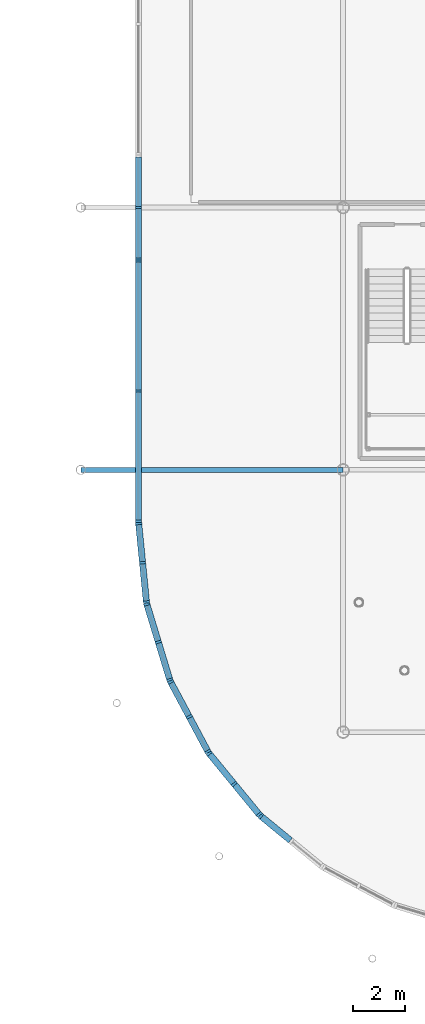
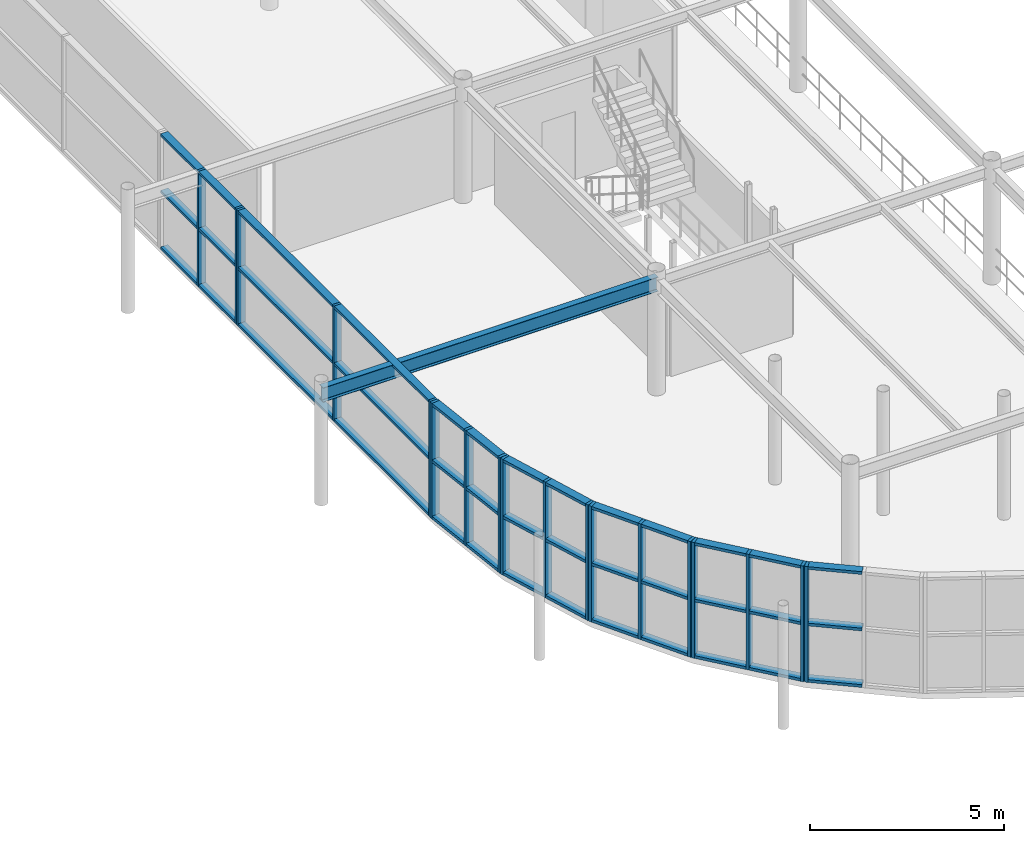
# One storey, part 36 of 98: 57 members, 1 beam, 7 elements without a shape of their own.
"""IFC4 building model written with IfcOpenShell, lengths in metres."""

from ifc_helpers import new_model, si_unit, derived_unit, direction, frame, origin, origin_2d_with_axis, place, context, subcontext, project, spatial, rectangle, i_section, extrude, material, material_profile, profile_set, type_object, element, aggregate, save


model = new_model("IFC4")

# Units and contexts
model_context = context("Model", 3, precision=1e-05, world=origin(), true_north=direction((0.0, 1.0)))
body_context = subcontext(model_context, "Body", "Model", "MODEL_VIEW")
ifc_project = project(units=[si_unit("LENGTHUNIT", "METRE"), si_unit("AREAUNIT", "SQUARE_METRE"), si_unit("VOLUMEUNIT", "CUBIC_METRE"), si_unit("PLANEANGLEUNIT", "RADIAN"), si_unit("MASSUNIT", "GRAM", prefix="KILO"), derived_unit("THERMALTRANSMITTANCEUNIT", [(si_unit("POWERUNIT", "WATT"), 1), (si_unit("LENGTHUNIT", "METRE"), -2), (si_unit("THERMODYNAMICTEMPERATUREUNIT", "KELVIN"), -1)])], contexts=[model_context])

# Site, building, storey
site_placement = place(None, origin())
site = spatial("IfcSite", under=ifc_project, at=site_placement, CompositionType="ELEMENT")
building_placement = place(site_placement, origin())
building = spatial("IfcBuilding", under=site, at=building_placement, Name="Cinnabar Yard Market Hall", CompositionType="ELEMENT")
storey_placement = place(building_placement, frame((0.0, 0.0, 4.5)))
storey = spatial("IfcBuildingStorey", under=building, at=storey_placement, Name="L01", CompositionType="ELEMENT", Elevation=4.5)

# Beam
ifc_material_1 = material(Name="Steel Grade 300 (300 MPa)", Category="steel")
ifc_material_profile_1 = material_profile(ifc_material_1, i_section(OverallWidth=0.18994140625, OverallDepth=0.453857421875, WebThickness=0.008544921875, FlangeThickness=0.0126953125, FilletRadius=0.011474609375, at=origin_2d_with_axis()), Name="460UB67.1")
ifc_profile_set_1 = profile_set([ifc_material_profile_1], Name="Steel Grade 300 (300 MPa)")
beam_type = type_object("IfcBeamType", Name="BM-B05E", PredefinedType="BEAM", material=ifc_profile_set_1)
beam_placement = place(storey_placement, frame((76.0, 34.0, 3.423095703125), z_axis=(-1.0, 0.0, 0.0), x_axis=(0.0, -1.0, 0.0)))
element("IfcBeam", 1, at=beam_placement, inside=storey, type_object=beam_type, Name="L01 Gallery West Tie 00301", PredefinedType="BEAM", context=body_context, shape_type="SweptSolid", body=[
    extrude(i_section(OverallWidth=0.18994140625, OverallDepth=0.453857421875, WebThickness=0.008544921875, FlangeThickness=0.0126953125, FilletRadius=0.011474609375, at=origin_2d_with_axis()), origin(), (0.0, 0.0, 1.0), 10.0),
])

# Curtain wall, members
ifc_material_2 = material(Name="Anodised bronze aluminium curved-chord facade", Category="aluminium")
curtain_wall_type_1 = type_object("IfcCurtainWallType", Name="CW-CWC031x36", PredefinedType="NOTDEFINED", material=ifc_material_2)
curtain_wall_1_placement = place(storey_placement, origin())
curtain_wall_1 = element("IfcCurtainWall", 2, at=curtain_wall_1_placement, inside=storey, type_object=curtain_wall_type_1, Name="Corner SW Chord 1 L01", PredefinedType="NOTDEFINED")
ifc_material_3 = material(Name="Anodised bronze aluminium", Category="aluminium")
ifc_material_profile_2 = material_profile(ifc_material_3, rectangle(XDim=0.239990234375, YDim=0.090087890625, at=origin_2d_with_axis()), Name="MUL-CWC")
ifc_profile_set_2 = profile_set([ifc_material_profile_2], Name="Anodised bronze aluminium")
member_type_1 = type_object("IfcMemberType", Name="CWM-CWC", PredefinedType="MULLION", material=ifc_profile_set_2)
member_1_placement = place(storey_placement, frame((68.204345703125, 31.955322265625, 0.0), z_axis=(0.0, 0.0, 1.0), x_axis=(0.995184408637, 0.098020369342, 0.0)))
member_1 = element("IfcMember", 3, at=member_1_placement, type_object=member_type_1, Name="CWC031x36 mullion 1", PredefinedType="MULLION", context=body_context, shape_type="SweptSolid", body=[
    extrude(rectangle(XDim=0.239990234375, YDim=0.090087890625, at=origin_2d_with_axis()), origin(), (0.0, 0.0, 1.0), 3.64990234375),
])
member_2_placement = place(storey_placement, frame((68.351806640625, 30.458740234375, 0.0), z_axis=(0.0, 0.0, 1.0), x_axis=(0.995184408637, 0.098020369342, 0.0)))
member_2 = element("IfcMember", 4, at=member_2_placement, type_object=member_type_1, Name="CWC031x36 mullion 2", PredefinedType="MULLION", context=body_context, shape_type="SweptSolid", body=[
    extrude(rectangle(XDim=0.239990234375, YDim=0.090087890625, at=origin_2d_with_axis()), origin(), (0.0, 0.0, 1.0), 3.64990234375),
])
member_3_placement = place(storey_placement, frame((68.499267578125, 28.96240234375, 0.0), z_axis=(0.0, 0.0, 1.0), x_axis=(0.995184408637, 0.098020369342, 0.0)))
member_3 = element("IfcMember", 5, at=member_3_placement, type_object=member_type_1, Name="CWC031x36 mullion 3", PredefinedType="MULLION", context=body_context, shape_type="SweptSolid", body=[
    extrude(rectangle(XDim=0.239990234375, YDim=0.090087890625, at=origin_2d_with_axis()), origin(), (0.0, 0.0, 1.0), 3.64990234375),
])

curtain_wall_2_placement = place(storey_placement, origin())
curtain_wall_2 = element("IfcCurtainWall", 6, at=curtain_wall_2_placement, inside=storey, type_object=curtain_wall_type_1, Name="Corner SW Chord 2 L01", PredefinedType="NOTDEFINED")
member_4_placement = place(storey_placement, frame((68.5166015625, 28.87451171875, 0.0), z_axis=(0.0, 0.0, 1.0), x_axis=(0.956942090856, 0.290278891325, 0.0)))
member_4 = element("IfcMember", 7, at=member_4_placement, type_object=member_type_1, Name="CWC031x36 mullion 1", PredefinedType="MULLION", context=body_context, shape_type="SweptSolid", body=[
    extrude(rectangle(XDim=0.239990234375, YDim=0.090087890625, at=origin_2d_with_axis()), origin(), (0.0, 0.0, 1.0), 3.64990234375),
])
member_5_placement = place(storey_placement, frame((68.953125, 27.435546875, 0.0), z_axis=(0.0, 0.0, 1.0), x_axis=(0.956942090856, 0.290278891325, 0.0)))
member_5 = element("IfcMember", 8, at=member_5_placement, type_object=member_type_1, Name="CWC031x36 mullion 2", PredefinedType="MULLION", context=body_context, shape_type="SweptSolid", body=[
    extrude(rectangle(XDim=0.239990234375, YDim=0.090087890625, at=origin_2d_with_axis()), origin(), (0.0, 0.0, 1.0), 3.64990234375),
])
member_6_placement = place(storey_placement, frame((69.3896484375, 25.99658203125, 0.0), z_axis=(0.0, 0.0, 1.0), x_axis=(0.956942090856, 0.290278891325, 0.0)))
member_6 = element("IfcMember", 9, at=member_6_placement, type_object=member_type_1, Name="CWC031x36 mullion 3", PredefinedType="MULLION", context=body_context, shape_type="SweptSolid", body=[
    extrude(rectangle(XDim=0.239990234375, YDim=0.090087890625, at=origin_2d_with_axis()), origin(), (0.0, 0.0, 1.0), 3.64990234375),
])

curtain_wall_3_placement = place(storey_placement, origin())
curtain_wall_3 = element("IfcCurtainWall", 10, at=curtain_wall_3_placement, inside=storey, type_object=curtain_wall_type_1, Name="Corner SW Chord 3 L01", PredefinedType="NOTDEFINED")
member_7_placement = place(storey_placement, frame((69.423828125, 25.913818359375, 0.0), z_axis=(0.0, 0.0, 1.0), x_axis=(0.881917320707, 0.471404114786, 0.0)))
member_7 = element("IfcMember", 11, at=member_7_placement, type_object=member_type_1, Name="CWC031x36 mullion 1", PredefinedType="MULLION", context=body_context, shape_type="SweptSolid", body=[
    extrude(rectangle(XDim=0.239990234375, YDim=0.090087890625, at=origin_2d_with_axis()), origin(), (0.0, 0.0, 1.0), 3.64990234375),
])
member_8_placement = place(storey_placement, frame((70.1328125, 24.587890625, 0.0), z_axis=(0.0, 0.0, 1.0), x_axis=(0.881917320707, 0.471404114786, 0.0)))
member_8 = element("IfcMember", 12, at=member_8_placement, type_object=member_type_1, Name="CWC031x36 mullion 2", PredefinedType="MULLION", context=body_context, shape_type="SweptSolid", body=[
    extrude(rectangle(XDim=0.239990234375, YDim=0.090087890625, at=origin_2d_with_axis()), origin(), (0.0, 0.0, 1.0), 3.64990234375),
])
member_9_placement = place(storey_placement, frame((70.841552734375, 23.26171875, 0.0), z_axis=(0.0, 0.0, 1.0), x_axis=(0.881917320707, 0.471404114786, 0.0)))
member_9 = element("IfcMember", 13, at=member_9_placement, type_object=member_type_1, Name="CWC031x36 mullion 3", PredefinedType="MULLION", context=body_context, shape_type="SweptSolid", body=[
    extrude(rectangle(XDim=0.239990234375, YDim=0.090087890625, at=origin_2d_with_axis()), origin(), (0.0, 0.0, 1.0), 3.64990234375),
])

curtain_wall_4_placement = place(storey_placement, origin())
curtain_wall_4 = element("IfcCurtainWall", 14, at=curtain_wall_4_placement, inside=storey, type_object=curtain_wall_type_1, Name="Corner SW Chord 4 L01", PredefinedType="NOTDEFINED")
member_10_placement = place(storey_placement, frame((70.891357421875, 23.187255859375, 0.0), z_axis=(0.0, 0.0, 1.0), x_axis=(0.773018564222, 0.634383400924, 0.0)))
member_10 = element("IfcMember", 15, at=member_10_placement, type_object=member_type_1, Name="CWC031x36 mullion 1", PredefinedType="MULLION", context=body_context, shape_type="SweptSolid", body=[
    extrude(rectangle(XDim=0.239990234375, YDim=0.090087890625, at=origin_2d_with_axis()), origin(), (0.0, 0.0, 1.0), 3.64990234375),
])
member_11_placement = place(storey_placement, frame((71.84521484375, 22.02490234375, 0.0), z_axis=(0.0, 0.0, 1.0), x_axis=(0.773018564222, 0.634383400924, 0.0)))
member_11 = element("IfcMember", 16, at=member_11_placement, type_object=member_type_1, Name="CWC031x36 mullion 2", PredefinedType="MULLION", context=body_context, shape_type="SweptSolid", body=[
    extrude(rectangle(XDim=0.239990234375, YDim=0.090087890625, at=origin_2d_with_axis()), origin(), (0.0, 0.0, 1.0), 3.64990234375),
])
member_12_placement = place(storey_placement, frame((72.799072265625, 20.862548828125, 0.0), z_axis=(0.0, 0.0, 1.0), x_axis=(0.773018564222, 0.634383400924, 0.0)))
member_12 = element("IfcMember", 17, at=member_12_placement, type_object=member_type_1, Name="CWC031x36 mullion 3", PredefinedType="MULLION", context=body_context, shape_type="SweptSolid", body=[
    extrude(rectangle(XDim=0.239990234375, YDim=0.090087890625, at=origin_2d_with_axis()), origin(), (0.0, 0.0, 1.0), 3.64990234375),
])

# Curtain wall, member
curtain_wall_5_placement = place(storey_placement, origin())
curtain_wall_5 = element("IfcCurtainWall", 18, at=curtain_wall_5_placement, inside=storey, type_object=curtain_wall_type_1, Name="Corner SW Chord 5 L01", PredefinedType="NOTDEFINED")
member_13_placement = place(storey_placement, frame((72.862548828125, 20.799072265625, 0.0), z_axis=(0.0, 0.0, 1.0), x_axis=(0.634383400924, 0.773018564222, 0.0)))
member_13 = element("IfcMember", 19, at=member_13_placement, type_object=member_type_1, Name="CWC031x36 mullion 1", PredefinedType="MULLION", context=body_context, shape_type="SweptSolid", body=[
    extrude(rectangle(XDim=0.239990234375, YDim=0.090087890625, at=origin_2d_with_axis()), origin(), (0.0, 0.0, 1.0), 3.64990234375),
])

# Curtain wall, members
ifc_material_4 = material(Name="Anodised bronze aluminium and low-E glass", Category="aluminium")
curtain_wall_type_2 = type_object("IfcCurtainWallType", Name="CW-CWH100x36", PredefinedType="NOTDEFINED", material=ifc_material_4)
curtain_wall_6_placement = place(storey_placement, origin())
curtain_wall_6 = element("IfcCurtainWall", 20, at=curtain_wall_6_placement, inside=storey, type_object=curtain_wall_type_2, Name="Market Hall West Gallery Glazing W1", PredefinedType="NOTDEFINED")
ifc_material_profile_3 = material_profile(ifc_material_3, rectangle(XDim=0.219970703125, YDim=0.080078125, at=origin_2d_with_axis()), Name="MUL-CWH")
ifc_profile_set_3 = profile_set([ifc_material_profile_3], Name="Anodised bronze aluminium")
member_type_2 = type_object("IfcMemberType", Name="CWM-CWH", PredefinedType="MULLION", material=ifc_profile_set_3)
member_14_placement = place(storey_placement, frame((68.199951171875, 41.9599609375, 0.0), z_axis=(0.0, 0.0, 1.0), x_axis=(1.0, 0.0, 0.0)))
member_14 = element("IfcMember", 21, at=member_14_placement, type_object=member_type_2, Name="CWH100x36 mullion 1", PredefinedType="MULLION", context=body_context, shape_type="SweptSolid", body=[
    extrude(rectangle(XDim=0.219970703125, YDim=0.080078125, at=origin_2d_with_axis()), origin(), (0.0, 0.0, 1.0), 3.64990234375),
])
member_15_placement = place(storey_placement, frame((68.199951171875, 37.0, 0.0), z_axis=(0.0, 0.0, 1.0), x_axis=(1.0, 0.0, 0.0)))
member_15 = element("IfcMember", 22, at=member_15_placement, type_object=member_type_2, Name="CWH100x36 mullion 2", PredefinedType="MULLION", context=body_context, shape_type="SweptSolid", body=[
    extrude(rectangle(XDim=0.219970703125, YDim=0.080078125, at=origin_2d_with_axis()), origin(), (0.0, 0.0, 1.0), 3.64990234375),
])
member_16_placement = place(storey_placement, frame((68.199951171875, 32.0400390625, 0.0), z_axis=(0.0, 0.0, 1.0), x_axis=(1.0, 0.0, 0.0)))
member_16 = element("IfcMember", 23, at=member_16_placement, type_object=member_type_2, Name="CWH100x36 mullion 3", PredefinedType="MULLION", context=body_context, shape_type="SweptSolid", body=[
    extrude(rectangle(XDim=0.219970703125, YDim=0.080078125, at=origin_2d_with_axis()), origin(), (0.0, 0.0, 1.0), 3.64990234375),
])

curtain_wall_type_3 = type_object("IfcCurtainWallType", Name="CW-CWH040x36", PredefinedType="NOTDEFINED", material=ifc_material_4)
curtain_wall_7_placement = place(storey_placement, origin())
curtain_wall_7 = element("IfcCurtainWall", 24, at=curtain_wall_7_placement, inside=storey, type_object=curtain_wall_type_3, Name="Market Hall West Gallery Glazing WPT", PredefinedType="NOTDEFINED")
member_17_placement = place(storey_placement, frame((68.199951171875, 44.0, 0.0), z_axis=(0.0, 0.0, 1.0), x_axis=(1.0, 0.0, 0.0)))
member_17 = element("IfcMember", 25, at=member_17_placement, type_object=member_type_2, Name="CWH040x36 mullion 2", PredefinedType="MULLION", context=body_context, shape_type="SweptSolid", body=[
    extrude(rectangle(XDim=0.219970703125, YDim=0.080078125, at=origin_2d_with_axis()), origin(), (0.0, 0.0, 1.0), 3.64990234375),
])
member_18_placement = place(storey_placement, frame((68.199951171875, 42.0400390625, 0.0), z_axis=(0.0, 0.0, 1.0), x_axis=(1.0, 0.0, 0.0)))
member_18 = element("IfcMember", 26, at=member_18_placement, type_object=member_type_2, Name="CWH040x36 mullion 3", PredefinedType="MULLION", context=body_context, shape_type="SweptSolid", body=[
    extrude(rectangle(XDim=0.219970703125, YDim=0.080078125, at=origin_2d_with_axis()), origin(), (0.0, 0.0, 1.0), 3.64990234375),
])

# Member
ifc_material_profile_4 = material_profile(ifc_material_3, rectangle(XDim=0.239990234375, YDim=0.090087890625, at=origin_2d_with_axis()), Name="TRN-CWC")
ifc_profile_set_4 = profile_set([ifc_material_profile_4], Name="Anodised bronze aluminium")
member_type_3 = type_object("IfcMemberType", Name="CWT-CWC", PredefinedType="USERDEFINED", material=ifc_profile_set_4)
member_19_placement = place(storey_placement, frame((68.208740234375, 31.910400390625, 0.044921875), z_axis=(0.098101390058, -0.995176425197, 0.0), x_axis=(0.995176425197, 0.098101390058, 0.0)))
member_19 = element("IfcMember", 27, at=member_19_placement, type_object=member_type_3, Name="CWC031x36 transom 1.1", ObjectType="TRANSOM", PredefinedType="USERDEFINED", context=body_context, shape_type="SweptSolid", body=[
    extrude(rectangle(XDim=0.239990234375, YDim=0.090087890625, at=origin_2d_with_axis()), origin(), (0.0, 0.0, 1.0), 1.41357421875),
])

member_20_placement = place(storey_placement, frame((68.208740234375, 31.910400390625, 1.824951171875), z_axis=(0.098101390058, -0.995176425197, 0.0), x_axis=(0.995176425197, 0.098101390058, 0.0)))
member_20 = element("IfcMember", 28, at=member_20_placement, type_object=member_type_3, Name="CWC031x36 transom 1.2", ObjectType="TRANSOM", PredefinedType="USERDEFINED", context=body_context, shape_type="SweptSolid", body=[
    extrude(rectangle(XDim=0.239990234375, YDim=0.090087890625, at=origin_2d_with_axis()), origin(), (0.0, 0.0, 1.0), 1.41357421875),
])

member_21_placement = place(storey_placement, frame((68.208740234375, 31.910400390625, 3.60498046875), z_axis=(0.098101390058, -0.995176425197, 0.0), x_axis=(0.995176425197, 0.098101390058, 0.0)))
member_21 = element("IfcMember", 29, at=member_21_placement, type_object=member_type_3, Name="CWC031x36 transom 1.3", ObjectType="TRANSOM", PredefinedType="USERDEFINED", context=body_context, shape_type="SweptSolid", body=[
    extrude(rectangle(XDim=0.239990234375, YDim=0.090087890625, at=origin_2d_with_axis()), origin(), (0.0, 0.0, 1.0), 1.41357421875),
])

member_22_placement = place(storey_placement, frame((68.356201171875, 30.4140625, 0.044921875), z_axis=(0.098084531214, -0.995178086946, 0.0), x_axis=(0.995178086946, 0.098084531214, 0.0)))
member_22 = element("IfcMember", 30, at=member_22_placement, type_object=member_type_3, Name="CWC031x36 transom 2.1", ObjectType="TRANSOM", PredefinedType="USERDEFINED", context=body_context, shape_type="SweptSolid", body=[
    extrude(rectangle(XDim=0.239990234375, YDim=0.090087890625, at=origin_2d_with_axis()), origin(), (0.0, 0.0, 1.0), 1.413818359375),
])

member_23_placement = place(storey_placement, frame((68.356201171875, 30.4140625, 1.824951171875), z_axis=(0.098084531214, -0.995178086946, 0.0), x_axis=(0.995178086946, 0.098084531214, 0.0)))
member_23 = element("IfcMember", 31, at=member_23_placement, type_object=member_type_3, Name="CWC031x36 transom 2.2", ObjectType="TRANSOM", PredefinedType="USERDEFINED", context=body_context, shape_type="SweptSolid", body=[
    extrude(rectangle(XDim=0.239990234375, YDim=0.090087890625, at=origin_2d_with_axis()), origin(), (0.0, 0.0, 1.0), 1.413818359375),
])

member_24_placement = place(storey_placement, frame((68.356201171875, 30.4140625, 3.60498046875), z_axis=(0.098084531214, -0.995178086946, 0.0), x_axis=(0.995178086946, 0.098084531214, 0.0)))
member_24 = element("IfcMember", 32, at=member_24_placement, type_object=member_type_3, Name="CWC031x36 transom 2.3", ObjectType="TRANSOM", PredefinedType="USERDEFINED", context=body_context, shape_type="SweptSolid", body=[
    extrude(rectangle(XDim=0.239990234375, YDim=0.090087890625, at=origin_2d_with_axis()), origin(), (0.0, 0.0, 1.0), 1.413818359375),
])

aggregate(curtain_wall_1, [member_1, member_2, member_3, member_19, member_20, member_21, member_22, member_23, member_24])

member_25_placement = place(storey_placement, frame((68.52978515625, 28.83154296875, 0.044921875), z_axis=(0.290309352341, -0.956932850279, 0.0), x_axis=(0.956932850279, 0.290309352341, 0.0)))
member_25 = element("IfcMember", 33, at=member_25_placement, type_object=member_type_3, Name="CWC031x36 transom 1.1", ObjectType="TRANSOM", PredefinedType="USERDEFINED", context=body_context, shape_type="SweptSolid", body=[
    extrude(rectangle(XDim=0.239990234375, YDim=0.090087890625, at=origin_2d_with_axis()), origin(), (0.0, 0.0, 1.0), 1.41357421875),
])

member_26_placement = place(storey_placement, frame((68.52978515625, 28.83154296875, 1.824951171875), z_axis=(0.290309352341, -0.956932850279, 0.0), x_axis=(0.956932850279, 0.290309352341, 0.0)))
member_26 = element("IfcMember", 34, at=member_26_placement, type_object=member_type_3, Name="CWC031x36 transom 1.2", ObjectType="TRANSOM", PredefinedType="USERDEFINED", context=body_context, shape_type="SweptSolid", body=[
    extrude(rectangle(XDim=0.239990234375, YDim=0.090087890625, at=origin_2d_with_axis()), origin(), (0.0, 0.0, 1.0), 1.41357421875),
])

member_27_placement = place(storey_placement, frame((68.52978515625, 28.83154296875, 3.60498046875), z_axis=(0.290309352341, -0.956932850279, 0.0), x_axis=(0.956932850279, 0.290309352341, 0.0)))
member_27 = element("IfcMember", 35, at=member_27_placement, type_object=member_type_3, Name="CWC031x36 transom 1.3", ObjectType="TRANSOM", PredefinedType="USERDEFINED", context=body_context, shape_type="SweptSolid", body=[
    extrude(rectangle(XDim=0.239990234375, YDim=0.090087890625, at=origin_2d_with_axis()), origin(), (0.0, 0.0, 1.0), 1.41357421875),
])

member_28_placement = place(storey_placement, frame((68.96630859375, 27.392578125, 0.044921875), z_axis=(0.290151195166, -0.956980816915, 0.0), x_axis=(0.956980816915, 0.290151195166, 0.0)))
member_28 = element("IfcMember", 36, at=member_28_placement, type_object=member_type_3, Name="CWC031x36 transom 2.1", ObjectType="TRANSOM", PredefinedType="USERDEFINED", context=body_context, shape_type="SweptSolid", body=[
    extrude(rectangle(XDim=0.239990234375, YDim=0.090087890625, at=origin_2d_with_axis()), origin(), (0.0, 0.0, 1.0), 1.41357421875),
])

member_29_placement = place(storey_placement, frame((68.96630859375, 27.392578125, 1.824951171875), z_axis=(0.290151195166, -0.956980816915, 0.0), x_axis=(0.956980816915, 0.290151195166, 0.0)))
member_29 = element("IfcMember", 37, at=member_29_placement, type_object=member_type_3, Name="CWC031x36 transom 2.2", ObjectType="TRANSOM", PredefinedType="USERDEFINED", context=body_context, shape_type="SweptSolid", body=[
    extrude(rectangle(XDim=0.239990234375, YDim=0.090087890625, at=origin_2d_with_axis()), origin(), (0.0, 0.0, 1.0), 1.41357421875),
])

member_30_placement = place(storey_placement, frame((68.96630859375, 27.392578125, 3.60498046875), z_axis=(0.290151195166, -0.956980816915, 0.0), x_axis=(0.956980816915, 0.290151195166, 0.0)))
member_30 = element("IfcMember", 38, at=member_30_placement, type_object=member_type_3, Name="CWC031x36 transom 2.3", ObjectType="TRANSOM", PredefinedType="USERDEFINED", context=body_context, shape_type="SweptSolid", body=[
    extrude(rectangle(XDim=0.239990234375, YDim=0.090087890625, at=origin_2d_with_axis()), origin(), (0.0, 0.0, 1.0), 1.41357421875),
])

aggregate(curtain_wall_2, [member_4, member_5, member_6, member_25, member_26, member_27, member_28, member_29, member_30])

member_31_placement = place(storey_placement, frame((69.445068359375, 25.874267578125, 0.044921875), z_axis=(0.471430533224, -0.881903198965, 0.0), x_axis=(0.881903198965, 0.471430533224, 0.0)))
member_31 = element("IfcMember", 39, at=member_31_placement, type_object=member_type_3, Name="CWC031x36 transom 1.1", ObjectType="TRANSOM", PredefinedType="USERDEFINED", context=body_context, shape_type="SweptSolid", body=[
    extrude(rectangle(XDim=0.239990234375, YDim=0.090087890625, at=origin_2d_with_axis()), origin(), (0.0, 0.0, 1.0), 1.413818359375),
])

member_32_placement = place(storey_placement, frame((69.445068359375, 25.874267578125, 1.824951171875), z_axis=(0.471430533224, -0.881903198965, 0.0), x_axis=(0.881903198965, 0.471430533224, 0.0)))
member_32 = element("IfcMember", 40, at=member_32_placement, type_object=member_type_3, Name="CWC031x36 transom 1.2", ObjectType="TRANSOM", PredefinedType="USERDEFINED", context=body_context, shape_type="SweptSolid", body=[
    extrude(rectangle(XDim=0.239990234375, YDim=0.090087890625, at=origin_2d_with_axis()), origin(), (0.0, 0.0, 1.0), 1.413818359375),
])

member_33_placement = place(storey_placement, frame((69.445068359375, 25.874267578125, 3.60498046875), z_axis=(0.471430533224, -0.881903198965, 0.0), x_axis=(0.881903198965, 0.471430533224, 0.0)))
member_33 = element("IfcMember", 41, at=member_33_placement, type_object=member_type_3, Name="CWC031x36 transom 1.3", ObjectType="TRANSOM", PredefinedType="USERDEFINED", context=body_context, shape_type="SweptSolid", body=[
    extrude(rectangle(XDim=0.239990234375, YDim=0.090087890625, at=origin_2d_with_axis()), origin(), (0.0, 0.0, 1.0), 1.413818359375),
])

member_34_placement = place(storey_placement, frame((70.154052734375, 24.548095703125, 0.044921875), z_axis=(0.471296210365, -0.881974989496, 0.0), x_axis=(0.881974989496, 0.471296210365, 0.0)))
member_34 = element("IfcMember", 42, at=member_34_placement, type_object=member_type_3, Name="CWC031x36 transom 2.1", ObjectType="TRANSOM", PredefinedType="USERDEFINED", context=body_context, shape_type="SweptSolid", body=[
    extrude(rectangle(XDim=0.239990234375, YDim=0.090087890625, at=origin_2d_with_axis()), origin(), (0.0, 0.0, 1.0), 1.41357421875),
])

member_35_placement = place(storey_placement, frame((70.154052734375, 24.548095703125, 1.824951171875), z_axis=(0.471296210365, -0.881974989496, 0.0), x_axis=(0.881974989496, 0.471296210365, 0.0)))
member_35 = element("IfcMember", 43, at=member_35_placement, type_object=member_type_3, Name="CWC031x36 transom 2.2", ObjectType="TRANSOM", PredefinedType="USERDEFINED", context=body_context, shape_type="SweptSolid", body=[
    extrude(rectangle(XDim=0.239990234375, YDim=0.090087890625, at=origin_2d_with_axis()), origin(), (0.0, 0.0, 1.0), 1.41357421875),
])

member_36_placement = place(storey_placement, frame((70.154052734375, 24.548095703125, 3.60498046875), z_axis=(0.471296210365, -0.881974989496, 0.0), x_axis=(0.881974989496, 0.471296210365, 0.0)))
member_36 = element("IfcMember", 44, at=member_36_placement, type_object=member_type_3, Name="CWC031x36 transom 2.3", ObjectType="TRANSOM", PredefinedType="USERDEFINED", context=body_context, shape_type="SweptSolid", body=[
    extrude(rectangle(XDim=0.239990234375, YDim=0.090087890625, at=origin_2d_with_axis()), origin(), (0.0, 0.0, 1.0), 1.41357421875),
])

aggregate(curtain_wall_3, [member_7, member_8, member_9, member_31, member_32, member_33, member_34, member_35, member_36])

member_37_placement = place(storey_placement, frame((70.919921875, 23.15234375, 0.044921875), z_axis=(0.634356309919, -0.773040795861, 0.0), x_axis=(0.773040795861, 0.634356309919, 0.0)))
member_37 = element("IfcMember", 45, at=member_37_placement, type_object=member_type_3, Name="CWC031x36 transom 1.1", ObjectType="TRANSOM", PredefinedType="USERDEFINED", context=body_context, shape_type="SweptSolid", body=[
    extrude(rectangle(XDim=0.239990234375, YDim=0.090087890625, at=origin_2d_with_axis()), origin(), (0.0, 0.0, 1.0), 1.41357421875),
])

member_38_placement = place(storey_placement, frame((70.919921875, 23.15234375, 1.824951171875), z_axis=(0.634356309919, -0.773040795861, 0.0), x_axis=(0.773040795861, 0.634356309919, 0.0)))
member_38 = element("IfcMember", 46, at=member_38_placement, type_object=member_type_3, Name="CWC031x36 transom 1.2", ObjectType="TRANSOM", PredefinedType="USERDEFINED", context=body_context, shape_type="SweptSolid", body=[
    extrude(rectangle(XDim=0.239990234375, YDim=0.090087890625, at=origin_2d_with_axis()), origin(), (0.0, 0.0, 1.0), 1.41357421875),
])

member_39_placement = place(storey_placement, frame((70.919921875, 23.15234375, 3.60498046875), z_axis=(0.634356309919, -0.773040795861, 0.0), x_axis=(0.773040795861, 0.634356309919, 0.0)))
member_39 = element("IfcMember", 47, at=member_39_placement, type_object=member_type_3, Name="CWC031x36 transom 1.3", ObjectType="TRANSOM", PredefinedType="USERDEFINED", context=body_context, shape_type="SweptSolid", body=[
    extrude(rectangle(XDim=0.239990234375, YDim=0.090087890625, at=origin_2d_with_axis()), origin(), (0.0, 0.0, 1.0), 1.41357421875),
])

member_40_placement = place(storey_placement, frame((71.873779296875, 21.989990234375, 0.044921875), z_axis=(0.634356309919, -0.773040795861, 0.0), x_axis=(0.773040795861, 0.634356309919, 0.0)))
member_40 = element("IfcMember", 48, at=member_40_placement, type_object=member_type_3, Name="CWC031x36 transom 2.1", ObjectType="TRANSOM", PredefinedType="USERDEFINED", context=body_context, shape_type="SweptSolid", body=[
    extrude(rectangle(XDim=0.239990234375, YDim=0.090087890625, at=origin_2d_with_axis()), origin(), (0.0, 0.0, 1.0), 1.41357421875),
])

member_41_placement = place(storey_placement, frame((71.873779296875, 21.989990234375, 1.824951171875), z_axis=(0.634356309919, -0.773040795861, 0.0), x_axis=(0.773040795861, 0.634356309919, 0.0)))
member_41 = element("IfcMember", 49, at=member_41_placement, type_object=member_type_3, Name="CWC031x36 transom 2.2", ObjectType="TRANSOM", PredefinedType="USERDEFINED", context=body_context, shape_type="SweptSolid", body=[
    extrude(rectangle(XDim=0.239990234375, YDim=0.090087890625, at=origin_2d_with_axis()), origin(), (0.0, 0.0, 1.0), 1.41357421875),
])

member_42_placement = place(storey_placement, frame((71.873779296875, 21.989990234375, 3.60498046875), z_axis=(0.634356309919, -0.773040795861, 0.0), x_axis=(0.773040795861, 0.634356309919, 0.0)))
member_42 = element("IfcMember", 50, at=member_42_placement, type_object=member_type_3, Name="CWC031x36 transom 2.3", ObjectType="TRANSOM", PredefinedType="USERDEFINED", context=body_context, shape_type="SweptSolid", body=[
    extrude(rectangle(XDim=0.239990234375, YDim=0.090087890625, at=origin_2d_with_axis()), origin(), (0.0, 0.0, 1.0), 1.41357421875),
])

aggregate(curtain_wall_4, [member_10, member_11, member_12, member_37, member_38, member_39, member_40, member_41, member_42])

member_43_placement = place(storey_placement, frame((72.897216796875, 20.7705078125, 0.044921875), z_axis=(0.773040795861, -0.634356309919, 0.0), x_axis=(0.634356309919, 0.773040795861, 0.0)))
member_43 = element("IfcMember", 51, at=member_43_placement, type_object=member_type_3, Name="CWC031x36 transom 1.1", ObjectType="TRANSOM", PredefinedType="USERDEFINED", context=body_context, shape_type="SweptSolid", body=[
    extrude(rectangle(XDim=0.239990234375, YDim=0.090087890625, at=origin_2d_with_axis()), origin(), (0.0, 0.0, 1.0), 1.41357421875),
])

member_44_placement = place(storey_placement, frame((72.897216796875, 20.7705078125, 1.824951171875), z_axis=(0.773040795861, -0.634356309919, 0.0), x_axis=(0.634356309919, 0.773040795861, 0.0)))
member_44 = element("IfcMember", 52, at=member_44_placement, type_object=member_type_3, Name="CWC031x36 transom 1.2", ObjectType="TRANSOM", PredefinedType="USERDEFINED", context=body_context, shape_type="SweptSolid", body=[
    extrude(rectangle(XDim=0.239990234375, YDim=0.090087890625, at=origin_2d_with_axis()), origin(), (0.0, 0.0, 1.0), 1.41357421875),
])

member_45_placement = place(storey_placement, frame((72.897216796875, 20.7705078125, 3.60498046875), z_axis=(0.773040795861, -0.634356309919, 0.0), x_axis=(0.634356309919, 0.773040795861, 0.0)))
member_45 = element("IfcMember", 53, at=member_45_placement, type_object=member_type_3, Name="CWC031x36 transom 1.3", ObjectType="TRANSOM", PredefinedType="USERDEFINED", context=body_context, shape_type="SweptSolid", body=[
    extrude(rectangle(XDim=0.239990234375, YDim=0.090087890625, at=origin_2d_with_axis()), origin(), (0.0, 0.0, 1.0), 1.41357421875),
])

aggregate(curtain_wall_5, [member_13, member_43, member_44, member_45])

ifc_material_profile_5 = material_profile(ifc_material_3, rectangle(XDim=0.219970703125, YDim=0.080078125, at=origin_2d_with_axis()), Name="TRN-CWH")
ifc_profile_set_5 = profile_set([ifc_material_profile_5], Name="Anodised bronze aluminium")
member_type_4 = type_object("IfcMemberType", Name="CWT-CWH", PredefinedType="USERDEFINED", material=ifc_profile_set_5)
member_46_placement = place(storey_placement, frame((68.199951171875, 41.919921875, 0.0400390625), z_axis=(0.0, -1.0, 0.0), x_axis=(1.0, 0.0, 0.0)))
member_46 = element("IfcMember", 54, at=member_46_placement, type_object=member_type_4, Name="CWH100x36 transom 1.1", ObjectType="TRANSOM", PredefinedType="USERDEFINED", context=body_context, shape_type="SweptSolid", body=[
    extrude(rectangle(XDim=0.219970703125, YDim=0.080078125, at=origin_2d_with_axis()), origin(), (0.0, 0.0, 1.0), 4.8798828125),
])

member_47_placement = place(storey_placement, frame((68.199951171875, 41.919921875, 1.824951171875), z_axis=(0.0, -1.0, 0.0), x_axis=(1.0, 0.0, 0.0)))
member_47 = element("IfcMember", 55, at=member_47_placement, type_object=member_type_4, Name="CWH100x36 transom 1.2", ObjectType="TRANSOM", PredefinedType="USERDEFINED", context=body_context, shape_type="SweptSolid", body=[
    extrude(rectangle(XDim=0.219970703125, YDim=0.080078125, at=origin_2d_with_axis()), origin(), (0.0, 0.0, 1.0), 4.8798828125),
])

member_48_placement = place(storey_placement, frame((68.199951171875, 41.919921875, 3.610107421875), z_axis=(0.0, -1.0, 0.0), x_axis=(1.0, 0.0, 0.0)))
member_48 = element("IfcMember", 56, at=member_48_placement, type_object=member_type_4, Name="CWH100x36 transom 1.3", ObjectType="TRANSOM", PredefinedType="USERDEFINED", context=body_context, shape_type="SweptSolid", body=[
    extrude(rectangle(XDim=0.219970703125, YDim=0.080078125, at=origin_2d_with_axis()), origin(), (0.0, 0.0, 1.0), 4.8798828125),
])

member_49_placement = place(storey_placement, frame((68.199951171875, 36.9599609375, 0.0400390625), z_axis=(0.0, -1.0, 0.0), x_axis=(1.0, 0.0, 0.0)))
member_49 = element("IfcMember", 57, at=member_49_placement, type_object=member_type_4, Name="CWH100x36 transom 2.1", ObjectType="TRANSOM", PredefinedType="USERDEFINED", context=body_context, shape_type="SweptSolid", body=[
    extrude(rectangle(XDim=0.219970703125, YDim=0.080078125, at=origin_2d_with_axis()), origin(), (0.0, 0.0, 1.0), 4.8798828125),
])

member_50_placement = place(storey_placement, frame((68.199951171875, 36.9599609375, 1.824951171875), z_axis=(0.0, -1.0, 0.0), x_axis=(1.0, 0.0, 0.0)))
member_50 = element("IfcMember", 58, at=member_50_placement, type_object=member_type_4, Name="CWH100x36 transom 2.2", ObjectType="TRANSOM", PredefinedType="USERDEFINED", context=body_context, shape_type="SweptSolid", body=[
    extrude(rectangle(XDim=0.219970703125, YDim=0.080078125, at=origin_2d_with_axis()), origin(), (0.0, 0.0, 1.0), 4.8798828125),
])

member_51_placement = place(storey_placement, frame((68.199951171875, 36.9599609375, 3.610107421875), z_axis=(0.0, -1.0, 0.0), x_axis=(1.0, 0.0, 0.0)))
member_51 = element("IfcMember", 59, at=member_51_placement, type_object=member_type_4, Name="CWH100x36 transom 2.3", ObjectType="TRANSOM", PredefinedType="USERDEFINED", context=body_context, shape_type="SweptSolid", body=[
    extrude(rectangle(XDim=0.219970703125, YDim=0.080078125, at=origin_2d_with_axis()), origin(), (0.0, 0.0, 1.0), 4.8798828125),
])

aggregate(curtain_wall_6, [member_14, member_15, member_16, member_46, member_47, member_48, member_49, member_50, member_51])

member_52_placement = place(storey_placement, frame((68.199951171875, 45.919921875, 0.0400390625), z_axis=(0.0, -1.0, 0.0), x_axis=(1.0, 0.0, 0.0)))
member_52 = element("IfcMember", 60, at=member_52_placement, type_object=member_type_4, Name="CWH040x36 transom 1.1", ObjectType="TRANSOM", PredefinedType="USERDEFINED", context=body_context, shape_type="SweptSolid", body=[
    extrude(rectangle(XDim=0.219970703125, YDim=0.080078125, at=origin_2d_with_axis()), origin(), (0.0, 0.0, 1.0), 1.8798828125),
])

member_53_placement = place(storey_placement, frame((68.199951171875, 45.919921875, 1.824951171875), z_axis=(0.0, -1.0, 0.0), x_axis=(1.0, 0.0, 0.0)))
member_53 = element("IfcMember", 61, at=member_53_placement, type_object=member_type_4, Name="CWH040x36 transom 1.2", ObjectType="TRANSOM", PredefinedType="USERDEFINED", context=body_context, shape_type="SweptSolid", body=[
    extrude(rectangle(XDim=0.219970703125, YDim=0.080078125, at=origin_2d_with_axis()), origin(), (0.0, 0.0, 1.0), 1.8798828125),
])

member_54_placement = place(storey_placement, frame((68.199951171875, 45.919921875, 3.610107421875), z_axis=(0.0, -1.0, 0.0), x_axis=(1.0, 0.0, 0.0)))
member_54 = element("IfcMember", 62, at=member_54_placement, type_object=member_type_4, Name="CWH040x36 transom 1.3", ObjectType="TRANSOM", PredefinedType="USERDEFINED", context=body_context, shape_type="SweptSolid", body=[
    extrude(rectangle(XDim=0.219970703125, YDim=0.080078125, at=origin_2d_with_axis()), origin(), (0.0, 0.0, 1.0), 1.8798828125),
])

member_55_placement = place(storey_placement, frame((68.199951171875, 43.9599609375, 0.0400390625), z_axis=(0.0, -1.0, 0.0), x_axis=(1.0, 0.0, 0.0)))
member_55 = element("IfcMember", 63, at=member_55_placement, type_object=member_type_4, Name="CWH040x36 transom 2.1", ObjectType="TRANSOM", PredefinedType="USERDEFINED", context=body_context, shape_type="SweptSolid", body=[
    extrude(rectangle(XDim=0.219970703125, YDim=0.080078125, at=origin_2d_with_axis()), origin(), (0.0, 0.0, 1.0), 1.8798828125),
])

member_56_placement = place(storey_placement, frame((68.199951171875, 43.9599609375, 1.824951171875), z_axis=(0.0, -1.0, 0.0), x_axis=(1.0, 0.0, 0.0)))
member_56 = element("IfcMember", 64, at=member_56_placement, type_object=member_type_4, Name="CWH040x36 transom 2.2", ObjectType="TRANSOM", PredefinedType="USERDEFINED", context=body_context, shape_type="SweptSolid", body=[
    extrude(rectangle(XDim=0.219970703125, YDim=0.080078125, at=origin_2d_with_axis()), origin(), (0.0, 0.0, 1.0), 1.8798828125),
])

member_57_placement = place(storey_placement, frame((68.199951171875, 43.9599609375, 3.610107421875), z_axis=(0.0, -1.0, 0.0), x_axis=(1.0, 0.0, 0.0)))
member_57 = element("IfcMember", 65, at=member_57_placement, type_object=member_type_4, Name="CWH040x36 transom 2.3", ObjectType="TRANSOM", PredefinedType="USERDEFINED", context=body_context, shape_type="SweptSolid", body=[
    extrude(rectangle(XDim=0.219970703125, YDim=0.080078125, at=origin_2d_with_axis()), origin(), (0.0, 0.0, 1.0), 1.8798828125),
])

aggregate(curtain_wall_7, [member_17, member_18, member_52, member_53, member_54, member_55, member_56, member_57])

save(model, "model.ifc")
